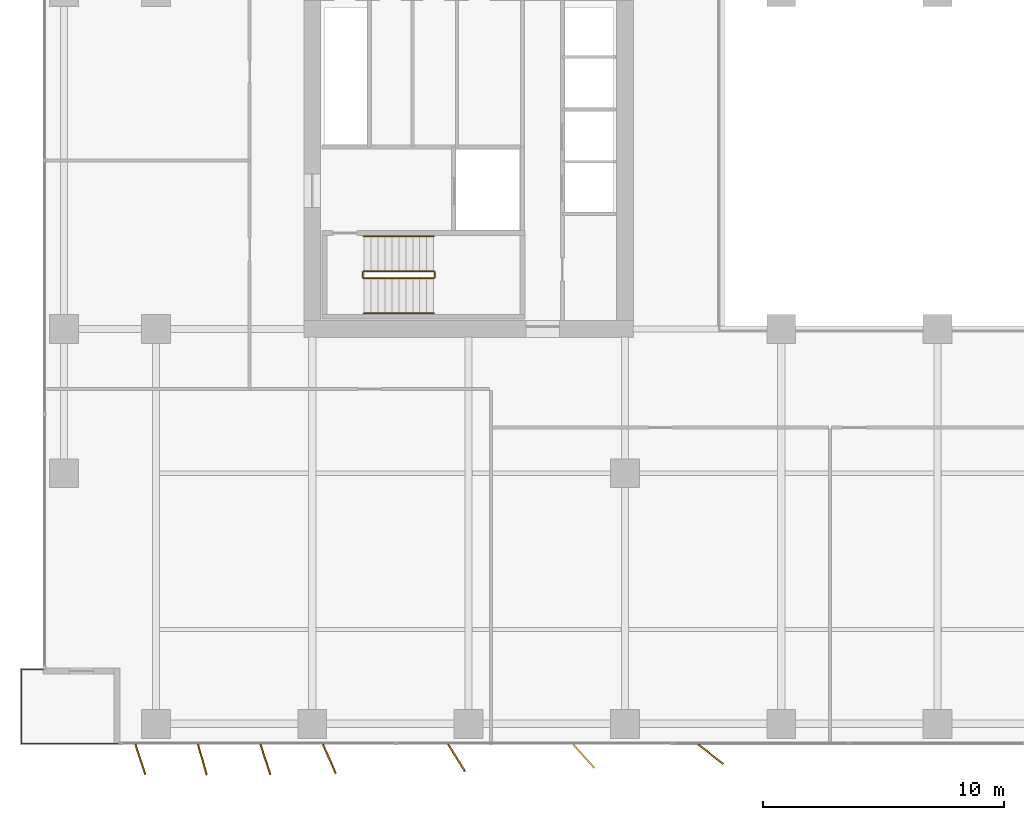
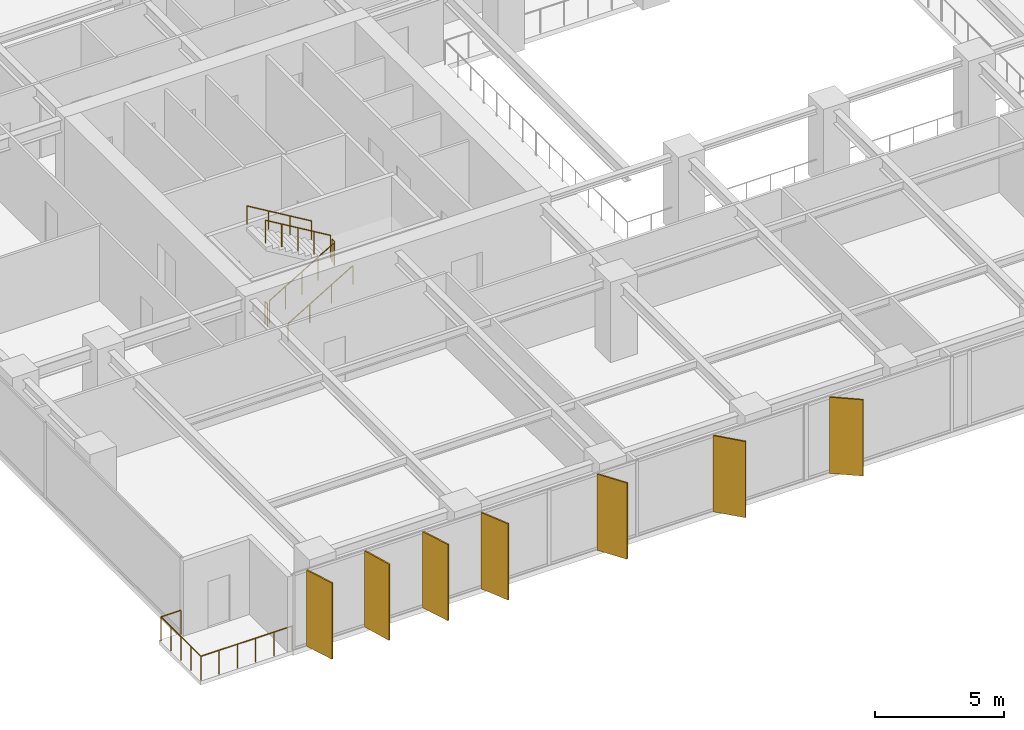
# One storey, part 17 of 20: 7 railings, 7 shading devices.
"""IFC4 building model written with IfcOpenShell, lengths in metres."""

from ifc_helpers import new_model, si_unit, direction, frame, origin, origin_2d, place, context, subcontext, project, spatial, rectangle, circle, extrude, material, layer, layer_set, type_object, element, save


model = new_model("IFC4")

# Units and contexts
model_context = context("Model", 3, precision=1e-05, world=origin(), true_north=direction((0.0, 1.0)))
body_context = subcontext(model_context, "Body", "Model", "MODEL_VIEW")
ifc_project = project(units=[si_unit("LENGTHUNIT", "METRE"), si_unit("AREAUNIT", "SQUARE_METRE"), si_unit("VOLUMEUNIT", "CUBIC_METRE"), si_unit("PLANEANGLEUNIT", "RADIAN"), si_unit("MASSUNIT", "GRAM", prefix="KILO")], contexts=[model_context])

# Site, building, storey
site_placement = place(None, origin())
site = spatial("IfcSite", under=ifc_project, at=site_placement, CompositionType="ELEMENT")
building_placement = place(site_placement, origin())
building = spatial("IfcBuilding", under=site, at=building_placement, Name="Putna Gate Headquarters", CompositionType="ELEMENT")
storey_placement = place(building_placement, frame((0.0, 0.0, 105.0)))
storey = spatial("IfcBuildingStorey", under=building, at=storey_placement, Name="L25", CompositionType="ELEMENT", Elevation=105.0)

# Railings
ifc_material_1 = material(Name="Powder-coated steel stair guardrail", Category="steel")
railing_type_1 = type_object("IfcRailingType", Name="RAIL-STAIR-GUARD-1100", PredefinedType="GUARDRAIL", material=ifc_material_1)
railing_1_placement = place(storey_placement, frame((15.14990234375, 21.10009765625, 0.172607421875)))
element("IfcRailing", 1, at=railing_1_placement, inside=storey, type_object=railing_type_1, Name="L25 ST1 stair guard 1", PredefinedType="GUARDRAIL", context=body_context, shape_type="SweptSolid", body=[
    extrude(circle(Radius=0.02392578125, at=origin_2d()), frame((0.0, 0.0, 1.076171875), z_axis=(0.859160404282, 0.0, 0.51170636083), x_axis=(0.0, 1.0, 0.0)), (0.0, 0.0, 1.0), 3.37548828125),
    extrude(circle(Radius=0.02099609375, at=origin_2d()), origin(), (0.0, 0.0, 1.0), 1.052001953125),
    extrude(circle(Radius=0.02099609375, at=origin_2d()), frame((0.72509765625, 0.0, 0.431884765625)), (0.0, 0.0, 1.0), 1.052001953125),
    extrude(circle(Radius=0.02099609375, at=origin_2d()), frame((1.4501953125, 0.0, 0.86376953125)), (0.0, 0.0, 1.0), 1.052001953125),
    extrude(circle(Radius=0.02099609375, at=origin_2d()), frame((2.175048828125, 0.0, 1.29541015625)), (0.0, 0.0, 1.0), 1.052001953125),
    extrude(circle(Radius=0.02099609375, at=origin_2d()), frame((2.900146484375, 0.0, 1.727294921875)), (0.0, 0.0, 1.0), 1.052001953125),
])
railing_2_placement = place(storey_placement, frame((18.10009765625, 21.14990234375, 1.89990234375)))
element("IfcRailing", 2, at=railing_2_placement, inside=storey, type_object=railing_type_1, Name="L25 ST1 stair guard 2", PredefinedType="GUARDRAIL", context=body_context, shape_type="SweptSolid", body=[
    extrude(circle(Radius=0.02392578125, at=origin_2d()), frame((0.0, 0.0, 1.076171875), z_axis=(0.0, 1.0, 0.0), x_axis=(-1.0, 0.0, 0.0)), (0.0, 0.0, 1.0), 0.2001953125),
    extrude(circle(Radius=0.02099609375, at=origin_2d()), origin(), (0.0, 0.0, 1.0), 1.052001953125),
    extrude(circle(Radius=0.02099609375, at=origin_2d()), frame((0.0, 0.2001953125, 0.0)), (0.0, 0.0, 1.0), 1.052001953125),
])
railing_3_placement = place(storey_placement, frame((18.050048828125, 21.39990234375, 2.07275390625)))
element("IfcRailing", 3, at=railing_3_placement, inside=storey, type_object=railing_type_1, Name="L25 ST1 stair guard 3", PredefinedType="GUARDRAIL", context=body_context, shape_type="SweptSolid", body=[
    extrude(circle(Radius=0.02392578125, at=origin_2d()), frame((0.0, 0.0, 1.076171875), z_axis=(-0.859160404282, 0.0, 0.51170636083), x_axis=(0.0, -1.0, 0.0)), (0.0, 0.0, 1.0), 3.37548828125),
    extrude(circle(Radius=0.02099609375, at=origin_2d()), origin(), (0.0, 0.0, 1.0), 1.052001953125),
    extrude(circle(Radius=0.02099609375, at=origin_2d()), frame((-0.72509765625, 0.0, 0.431884765625)), (0.0, 0.0, 1.0), 1.052001953125),
    extrude(circle(Radius=0.02099609375, at=origin_2d()), frame((-1.4501953125, 0.0, 0.86376953125)), (0.0, 0.0, 1.0), 1.052001953125),
    extrude(circle(Radius=0.02099609375, at=origin_2d()), frame((-2.175048828125, 0.0, 1.29541015625)), (0.0, 0.0, 1.0), 1.052001953125),
    extrude(circle(Radius=0.02099609375, at=origin_2d()), frame((-2.900146484375, 0.0, 1.727294921875)), (0.0, 0.0, 1.0), 1.052001953125),
])
railing_4_placement = place(storey_placement, frame((15.10009765625, 21.14990234375, 0.0)))
element("IfcRailing", 4, at=railing_4_placement, inside=storey, type_object=railing_type_1, Name="L25 ST1 stair guard 4", PredefinedType="GUARDRAIL", context=body_context, shape_type="SweptSolid", body=[
    extrude(circle(Radius=0.02392578125, at=origin_2d()), frame((0.0, 0.0, 1.076171875), z_axis=(0.0, 1.0, 0.0), x_axis=(-1.0, 0.0, 0.0)), (0.0, 0.0, 1.0), 0.2001953125),
    extrude(circle(Radius=0.02099609375, at=origin_2d()), origin(), (0.0, 0.0, 1.0), 1.052001953125),
    extrude(circle(Radius=0.02099609375, at=origin_2d()), frame((0.0, 0.2001953125, 0.0)), (0.0, 0.0, 1.0), 1.052001953125),
])
ifc_material_2 = material(Name="Brushed stainless steel handrail", Category="steel")
railing_type_2 = type_object("IfcRailingType", Name="RAIL-STAIR-HAND-900", PredefinedType="HANDRAIL", material=ifc_material_2)
railing_5_placement = place(storey_placement, frame((15.14990234375, 19.64990234375, 0.172607421875)))
element("IfcRailing", 5, at=railing_5_placement, inside=storey, type_object=railing_type_2, Name="L25 ST1 stair handrail 1", PredefinedType="HANDRAIL", context=body_context, shape_type="SweptSolid", body=[
    extrude(circle(Radius=0.02392578125, at=origin_2d()), frame((0.0, 0.0, 0.8759765625), z_axis=(0.859160404282, 0.0, 0.51170636083), x_axis=(0.0, 1.0, 0.0)), (0.0, 0.0, 1.0), 3.37548828125),
    extrude(circle(Radius=0.02099609375, at=origin_2d()), origin(), (0.0, 0.0, 1.0), 0.851806640625),
    extrude(circle(Radius=0.02099609375, at=origin_2d()), frame((0.966796875, 0.0, 0.57568359375)), (0.0, 0.0, 1.0), 0.851806640625),
    extrude(circle(Radius=0.02099609375, at=origin_2d()), frame((1.933349609375, 0.0, 1.151611328125)), (0.0, 0.0, 1.0), 0.851806640625),
    extrude(circle(Radius=0.02099609375, at=origin_2d()), frame((2.900146484375, 0.0, 1.727294921875)), (0.0, 0.0, 1.0), 0.851806640625),
])
railing_6_placement = place(storey_placement, frame((18.050048828125, 22.85009765625, 2.07275390625)))
element("IfcRailing", 6, at=railing_6_placement, inside=storey, type_object=railing_type_2, Name="L25 ST1 stair handrail 2", PredefinedType="HANDRAIL", context=body_context, shape_type="SweptSolid", body=[
    extrude(circle(Radius=0.02392578125, at=origin_2d()), frame((0.0, 0.0, 0.8759765625), z_axis=(-0.859160404282, 0.0, 0.51170636083), x_axis=(0.0, -1.0, 0.0)), (0.0, 0.0, 1.0), 3.37548828125),
    extrude(circle(Radius=0.02099609375, at=origin_2d()), origin(), (0.0, 0.0, 1.0), 0.851806640625),
    extrude(circle(Radius=0.02099609375, at=origin_2d()), frame((-0.966796875, 0.0, 0.57568359375)), (0.0, 0.0, 1.0), 0.851806640625),
    extrude(circle(Radius=0.02099609375, at=origin_2d()), frame((-1.933349609375, 0.0, 1.151611328125)), (0.0, 0.0, 1.0), 0.851806640625),
    extrude(circle(Radius=0.02099609375, at=origin_2d()), frame((-2.900146484375, 0.0, 1.727294921875)), (0.0, 0.0, 1.0), 0.851806640625),
])
ifc_material_3 = material(Name="Anodised bronze steel and laminated glass guardrail", Category="steel")
railing_type_3 = type_object("IfcRailingType", Name="RAIL-TERR-GUARD-1150", PredefinedType="GUARDRAIL", material=ifc_material_3)
railing_7_placement = place(storey_placement, frame((5.0, 1.760009765625, 0.0)))
element("IfcRailing", 7, at=railing_7_placement, inside=storey, type_object=railing_type_3, Name="L25 Spiral Sky Terrace Guardrail SW", PredefinedType="GUARDRAIL", context=body_context, shape_type="SweptSolid", body=[
    extrude(circle(Radius=0.02392578125, at=origin_2d()), frame((0.0, 0.0, 1.1259765625), z_axis=(-1.0, 0.0, 0.0), x_axis=(0.0, -1.0, 0.0)), (0.0, 0.0, 1.0), 4.090087890625),
    extrude(circle(Radius=0.02392578125, at=origin_2d()), frame((-4.090087890625, 0.0, 1.1259765625), z_axis=(0.0, 1.0, 0.0), x_axis=(-1.0, 0.0, 0.0)), (0.0, 0.0, 1.0), 3.080078125),
    extrude(circle(Radius=0.02392578125, at=origin_2d()), frame((-4.090087890625, 3.080078125, 1.1259765625), z_axis=(1.0, 0.0, 0.0), x_axis=(0.0, 1.0, 0.0)), (0.0, 0.0, 1.0), 0.89013671875),
    extrude(circle(Radius=0.02099609375, at=origin_2d()), origin(), (0.0, 0.0, 1.0), 1.101806640625),
    extrude(circle(Radius=0.02099609375, at=origin_2d()), frame((-0.818115234375, 0.0, 0.0)), (0.0, 0.0, 1.0), 1.101806640625),
    extrude(circle(Radius=0.02099609375, at=origin_2d()), frame((-1.635986328125, 0.0, 0.0)), (0.0, 0.0, 1.0), 1.101806640625),
    extrude(circle(Radius=0.02099609375, at=origin_2d()), frame((-2.4541015625, 0.0, 0.0)), (0.0, 0.0, 1.0), 1.101806640625),
    extrude(circle(Radius=0.02099609375, at=origin_2d()), frame((-3.27197265625, 0.0, 0.0)), (0.0, 0.0, 1.0), 1.101806640625),
    extrude(circle(Radius=0.02099609375, at=origin_2d()), frame((-4.090087890625, 0.0, 0.0)), (0.0, 0.0, 1.0), 1.101806640625),
    extrude(circle(Radius=0.02099609375, at=origin_2d()), frame((-4.090087890625, 0.77001953125, 0.0)), (0.0, 0.0, 1.0), 1.101806640625),
    extrude(circle(Radius=0.02099609375, at=origin_2d()), frame((-4.090087890625, 1.5400390625, 0.0)), (0.0, 0.0, 1.0), 1.101806640625),
    extrude(circle(Radius=0.02099609375, at=origin_2d()), frame((-4.090087890625, 2.31005859375, 0.0)), (0.0, 0.0, 1.0), 1.101806640625),
    extrude(circle(Radius=0.02099609375, at=origin_2d()), frame((-4.090087890625, 3.080078125, 0.0)), (0.0, 0.0, 1.0), 1.101806640625),
    extrude(circle(Radius=0.02099609375, at=origin_2d()), frame((-3.199951171875, 3.080078125, 0.0)), (0.0, 0.0, 1.0), 1.101806640625),
])

# Shading devices
ifc_material_4 = material(Name="Anodised architectural bronze aluminium fin", Category="aluminium")
ifc_layer = layer(ifc_material_4, 0.06494140625)
ifc_layer_set = layer_set([ifc_layer], Name="Anodised architectural bronze aluminium fin")
shading_device_type = type_object("IfcShadingDeviceType", Name="SHADE-BRONZE-FIN-1320", PredefinedType="USERDEFINED", material=ifc_layer_set)
for number, where, z_axis, x_axis, name in (
    (8, (5.853759765625, 1.09716796875, -0.02001953125), (0.0, 0.0, 1.0), (0.308684994204, -0.951164325631, 0.0), "L25 Bronze Vertical Shading Fin S1"),
    (9, (8.431884765625, 1.090576171875, -0.02001953125), (0.0, 0.0, 1.0), (0.275637355817, -0.961261695938, 0.0), "L25 Bronze Vertical Shading Fin S2"),
    (10, (11.0537109375, 1.09716796875, -0.02001953125), (0.0, 0.0, 1.0), (0.308684994204, -0.951164325631, 0.0), "L25 Bronze Vertical Shading Fin S3"),
    (11, (13.71435546875, 1.120361328125, -0.02001953125), (0.0, 0.0, 1.0), (0.400668879095, -0.916222925562, 0.0), "L25 Bronze Vertical Shading Fin S4"),
    (12, (19.000244140625, 1.16552734375, -0.02001953125), (0.0, 0.0, 1.0), (0.530659123936, -0.847585331506, 0.0), "L25 Bronze Vertical Shading Fin S5"),
    (13, (24.29150390625, 1.234619140625, -0.02001953125), (0.0, 0.0, 1.0), (0.669130606359, -0.743144825477, 0.0), "L25 Bronze Vertical Shading Fin S6"),
    (14, (29.569580078125, 1.318115234375, -0.02001953125), (0.0, 0.0, 1.0), (0.787473187632, -0.616348909921, 0.0), "L25 Bronze Vertical Shading Fin S7"),
):
    element("IfcShadingDevice", number, at=place(storey_placement, frame(where, z_axis=z_axis, x_axis=x_axis)), inside=storey, type_object=shading_device_type, Name=name, ObjectType="FIN", PredefinedType="USERDEFINED", context=body_context, shape_type="SweptSolid", body=[
        extrude(rectangle(XDim=1.320068359375, YDim=0.06494140625, at=origin_2d()), origin(), (0.0, 0.0, 1.0), 3.60498046875),
    ])

save(model, "model.ifc")
